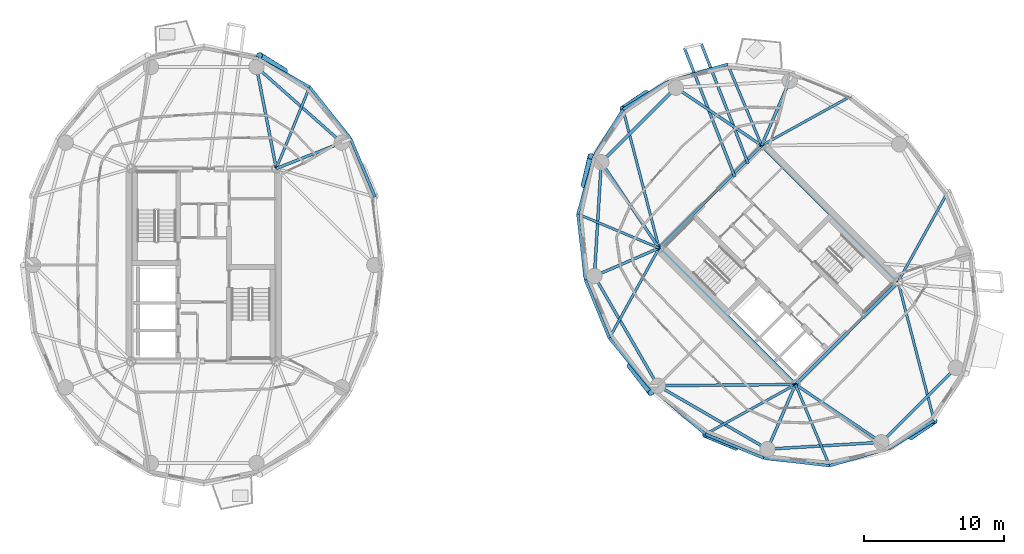
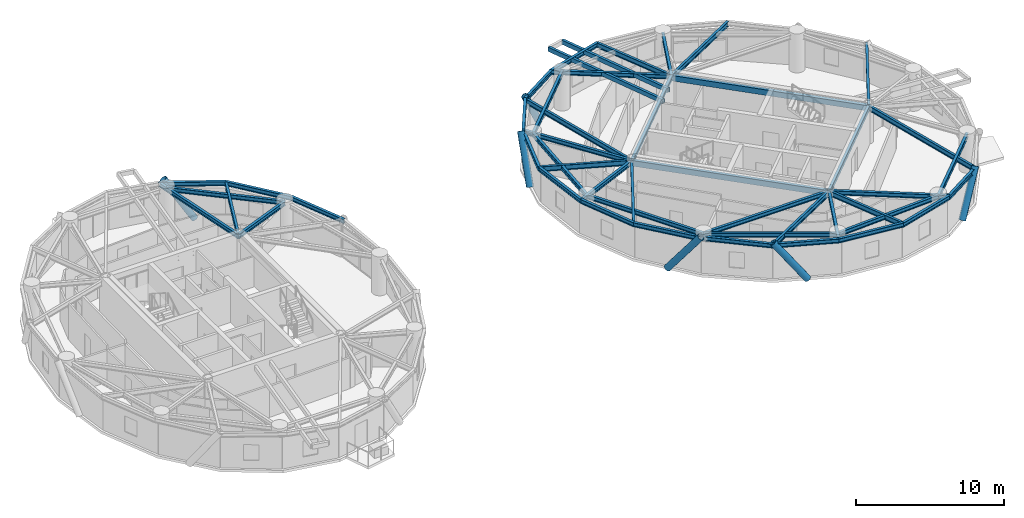
# One storey, part 4 of 17: 47 beams, 6 members.
"""IFC4 building model written with IfcOpenShell, lengths in metres."""

from ifc_helpers import new_model, si_unit, direction, frame, origin, origin_2d, place, context, subcontext, project, spatial, hollow_rectangle, hollow_circle, i_section, extrude, material, material_profile, profile_set, type_object, element, save


model = new_model("IFC4")

# Units and contexts
model_context = context("Model", 3, precision=1e-05, world=origin(), true_north=direction((0.0, 1.0)))
body_context = subcontext(model_context, "Body", "Model", "MODEL_VIEW")
ifc_project = project(units=[si_unit("LENGTHUNIT", "METRE"), si_unit("AREAUNIT", "SQUARE_METRE"), si_unit("VOLUMEUNIT", "CUBIC_METRE"), si_unit("PLANEANGLEUNIT", "RADIAN"), si_unit("MASSUNIT", "GRAM", prefix="KILO")], contexts=[model_context])

# Site, building, storey
site_placement = place(None, origin())
site = spatial("IfcSite", under=ifc_project, at=site_placement, CompositionType="ELEMENT")
building_placement = place(site_placement, origin())
building = spatial("IfcBuilding", under=site, at=building_placement, Name="Cununo Teusaquillo Station Towers", CompositionType="ELEMENT")
storey_placement = place(building_placement, frame((0.0, 0.0, 222.85009765625)))
storey = spatial("IfcBuildingStorey", under=building, at=storey_placement, Name="L71", CompositionType="ELEMENT", Elevation=222.85009765625)

# Beams
ifc_material_1 = material(Name="Steel EN 10025-2 S355J2", Category="steel")
ifc_material_profile_1 = material_profile(ifc_material_1, hollow_rectangle(XDim=0.199951171875, YDim=0.35009765625, WallThickness=0.013916015625, at=origin_2d()), Name="RHS 350x200x14")
ifc_profile_set_1 = profile_set([ifc_material_profile_1], Name="Steel EN 10025-2 S355J2")
beam_type_1 = type_object("IfcBeamType", Name="BM-BAL-CANT", PredefinedType="BEAM", material=ifc_profile_set_1)
beam_1_placement = place(storey_placement, frame((55.329345703125, 31.73388671875, 2.81494140625), z_axis=(-0.364356093101, 0.931259704605, 0.0), x_axis=(-0.931259704605, -0.364356093101, 0.0)))
element("IfcBeam", 1, at=beam_1_placement, inside=storey, type_object=beam_type_1, Name="L71 Tower B Balcony Cantilever Bracket 1A", PredefinedType="BEAM", context=body_context, shape_type="SweptSolid", body=[
    extrude(hollow_rectangle(XDim=0.199951171875, YDim=0.35009765625, WallThickness=0.013916015625, at=origin_2d()), origin(), (0.0, 0.0, 1.0), 9.151123046875),
])
beam_2_placement = place(storey_placement, frame((54.38134765625, 30.785888671875, 2.81494140625), z_axis=(-0.364348965109, 0.931262493406, 0.0), x_axis=(-0.931262493406, -0.364348965109, 0.0)))
element("IfcBeam", 2, at=beam_2_placement, inside=storey, type_object=beam_type_1, Name="L71 Tower B Balcony Cantilever Bracket 1B", PredefinedType="BEAM", context=body_context, shape_type="SweptSolid", body=[
    extrude(hollow_rectangle(XDim=0.199951171875, YDim=0.35009765625, WallThickness=0.013916015625, at=origin_2d()), origin(), (0.0, 0.0, 1.0), 9.8662109375),
])
ifc_material_2 = material(Name="Steel EN 10025-2 S355J2", Category="steel")
ifc_material_profile_2 = material_profile(ifc_material_2, hollow_rectangle(XDim=0.25, YDim=0.449951171875, WallThickness=0.01611328125, at=origin_2d()), Name="RHS 450x250x16")
ifc_profile_set_2 = profile_set([ifc_material_profile_2], Name="Steel EN 10025-2 S355J2")
beam_type_2 = type_object("IfcBeamType", Name="BM-COUP-1", PredefinedType="USERDEFINED", material=ifc_profile_set_2)
for number, where, z_axis, x_axis, name in (
    (3, (58.70556640625, 15.975830078125, 2.764892578125), (-0.707106781187, 0.707106781187, 0.0), (-0.707106781187, -0.707106781187, 0.0), "L71 Tower B Core Beam 1"),
    (4, (66.024169921875, 23.29443359375, 2.764892578125), (-0.707106781187, 0.707106781187, 0.0), (-0.707106781187, -0.707106781187, 0.0), "L71 Tower B Core Beam 2"),
):
    element("IfcBeam", number, at=place(storey_placement, frame(where, z_axis=z_axis, x_axis=x_axis)), inside=storey, type_object=beam_type_2, Name=name, ObjectType="COUPLING BEAM", PredefinedType="USERDEFINED", context=body_context, shape_type="SweptSolid", body=[
        extrude(hollow_rectangle(XDim=0.25, YDim=0.449951171875, WallThickness=0.01611328125, at=origin_2d()), origin(), (0.0, 0.0, 1.0), 13.760009765625),
    ])
ifc_material_3 = material(Name="Steel ASTM A572 Grade 50", Category="steel")
ifc_material_profile_3 = material_profile(ifc_material_3, i_section(OverallWidth=0.180908203125, OverallDepth=0.4169921875, WebThickness=0.010986328125, FlangeThickness=0.018310546875, FilletRadius=0.012939453125, at=origin_2d()), Name="W16X57")
ifc_profile_set_3 = profile_set([ifc_material_profile_3], Name="Steel ASTM A572 Grade 50")
beam_type_3 = type_object("IfcBeamType", Name="BM-JOIST-1", PredefinedType="JOIST", material=ifc_profile_set_3)
beam_3_placement = place(storey_placement, frame((21.675048828125, 31.3798828125, 2.781494140625), z_axis=(0.378576847217, 0.925569862707, 0.0), x_axis=(-0.925569862707, 0.378576847217, 0.0)))
element("IfcBeam", 5, at=beam_3_placement, inside=storey, type_object=beam_type_3, Name="L71 Tower A Radial Spandrel Joist V03", PredefinedType="JOIST", context=body_context, shape_type="SweptSolid", body=[
    extrude(i_section(OverallWidth=0.180908203125, OverallDepth=0.4169921875, WebThickness=0.010986328125, FlangeThickness=0.018310546875, FilletRadius=0.012939453125, at=origin_2d()), origin(), (0.0, 0.0, 1.0), 6.28125),
])
beam_4_placement = place(storey_placement, frame((56.29443359375, 33.024169921875, 2.781494140625), z_axis=(0.8753153358, 0.483552544108, 0.0), x_axis=(-0.483552544108, 0.8753153358, 0.0)))
element("IfcBeam", 6, at=beam_4_placement, inside=storey, type_object=beam_type_3, Name="L71 Tower B Radial Spandrel Joist V01", PredefinedType="JOIST", context=body_context, shape_type="SweptSolid", body=[
    extrude(i_section(OverallWidth=0.180908203125, OverallDepth=0.4169921875, WebThickness=0.010986328125, FlangeThickness=0.018310546875, FilletRadius=0.012939453125, at=origin_2d()), origin(), (0.0, 0.0, 1.0), 7.3330078125),
])
beam_5_placement = place(storey_placement, frame((56.29443359375, 33.024169921875, 2.781494140625), z_axis=(-0.386786389381, 0.922169338565, 0.0), x_axis=(-0.922169338565, -0.386786389381, 0.0)))
element("IfcBeam", 7, at=beam_5_placement, inside=storey, type_object=beam_type_3, Name="L71 Tower B Radial Spandrel Joist V03", PredefinedType="JOIST", context=body_context, shape_type="SweptSolid", body=[
    extrude(i_section(OverallWidth=0.180908203125, OverallDepth=0.4169921875, WebThickness=0.010986328125, FlangeThickness=0.018310546875, FilletRadius=0.012939453125, at=origin_2d()), origin(), (0.0, 0.0, 1.0), 6.281005859375),
])
beam_6_placement = place(storey_placement, frame((48.975830078125, 25.70556640625, 2.781494140625), z_axis=(-0.251559992432, 0.967841707206, 0.0), x_axis=(-0.967841707206, -0.251559992432, 0.0)))
element("IfcBeam", 8, at=beam_6_placement, inside=storey, type_object=beam_type_3, Name="L71 Tower B Radial Spandrel Joist V05", PredefinedType="JOIST", context=body_context, shape_type="SweptSolid", body=[
    extrude(i_section(OverallWidth=0.180908203125, OverallDepth=0.4169921875, WebThickness=0.010986328125, FlangeThickness=0.018310546875, FilletRadius=0.012939453125, at=origin_2d()), origin(), (0.0, 0.0, 1.0), 10.217529296875),
])
beam_7_placement = place(storey_placement, frame((48.975830078125, 25.70556640625, 2.781494140625), z_axis=(-0.922169338565, 0.386786389381, 0.0), x_axis=(-0.386786389381, -0.922169338565, 0.0)))
element("IfcBeam", 9, at=beam_7_placement, inside=storey, type_object=beam_type_3, Name="L71 Tower B Radial Spandrel Joist V07", PredefinedType="JOIST", context=body_context, shape_type="SweptSolid", body=[
    extrude(i_section(OverallWidth=0.180908203125, OverallDepth=0.4169921875, WebThickness=0.010986328125, FlangeThickness=0.018310546875, FilletRadius=0.012939453125, at=origin_2d()), origin(), (0.0, 0.0, 1.0), 6.281005859375),
])
for number, where, z_axis, x_axis, name in (
    (10, (48.975830078125, 25.70556640625, 2.781494140625), (-0.483552544108, -0.8753153358, 0.0), (0.8753153358, -0.483552544108, 0.0), "L71 Tower B Radial Spandrel Joist V09"),
    (11, (58.70556640625, 15.975830078125, 2.781494140625), (-0.8753153358, -0.483552544108, 0.0), (0.483552544108, -0.8753153358, 0.0), "L71 Tower B Radial Spandrel Joist V11"),
):
    element("IfcBeam", number, at=place(storey_placement, frame(where, z_axis=z_axis, x_axis=x_axis)), inside=storey, type_object=beam_type_3, Name=name, PredefinedType="JOIST", context=body_context, shape_type="SweptSolid", body=[
        extrude(i_section(OverallWidth=0.180908203125, OverallDepth=0.4169921875, WebThickness=0.010986328125, FlangeThickness=0.018310546875, FilletRadius=0.012939453125, at=origin_2d()), origin(), (0.0, 0.0, 1.0), 7.3330078125),
    ])
beam_8_placement = place(storey_placement, frame((58.70556640625, 15.975830078125, 2.781494140625), z_axis=(0.386786389381, -0.922169338565, 0.0), x_axis=(0.922169338565, 0.386786389381, 0.0)))
element("IfcBeam", 12, at=beam_8_placement, inside=storey, type_object=beam_type_3, Name="L71 Tower B Radial Spandrel Joist V13", PredefinedType="JOIST", context=body_context, shape_type="SweptSolid", body=[
    extrude(i_section(OverallWidth=0.180908203125, OverallDepth=0.4169921875, WebThickness=0.010986328125, FlangeThickness=0.018310546875, FilletRadius=0.012939453125, at=origin_2d()), origin(), (0.0, 0.0, 1.0), 6.281005859375),
])
beam_9_placement = place(storey_placement, frame((66.024169921875, 23.29443359375, 2.781494140625), z_axis=(0.251559992432, -0.967841707206, 0.0), x_axis=(0.967841707206, 0.251559992432, 0.0)))
element("IfcBeam", 13, at=beam_9_placement, inside=storey, type_object=beam_type_3, Name="L71 Tower B Radial Spandrel Joist V15", PredefinedType="JOIST", context=body_context, shape_type="SweptSolid", body=[
    extrude(i_section(OverallWidth=0.180908203125, OverallDepth=0.4169921875, WebThickness=0.010986328125, FlangeThickness=0.018310546875, FilletRadius=0.012939453125, at=origin_2d()), origin(), (0.0, 0.0, 1.0), 10.217529296875),
])
beam_10_placement = place(storey_placement, frame((66.024169921875, 23.29443359375, 2.781494140625), z_axis=(0.483552544108, 0.8753153358, 0.0), x_axis=(-0.8753153358, 0.483552544108, 0.0)))
element("IfcBeam", 14, at=beam_10_placement, inside=storey, type_object=beam_type_3, Name="L71 Tower B Radial Spandrel Joist V19", PredefinedType="JOIST", context=body_context, shape_type="SweptSolid", body=[
    extrude(i_section(OverallWidth=0.180908203125, OverallDepth=0.4169921875, WebThickness=0.010986328125, FlangeThickness=0.018310546875, FilletRadius=0.012939453125, at=origin_2d()), origin(), (0.0, 0.0, 1.0), 7.3330078125),
])
ifc_material_4 = material(Name="Steel ASTM A572 Grade 50", Category="steel")
ifc_material_profile_4 = material_profile(ifc_material_4, i_section(OverallWidth=0.2041015625, OverallDepth=0.35009765625, WebThickness=0.008544921875, FlangeThickness=0.01513671875, FilletRadius=0.011962890625, at=origin_2d()), Name="W14X48")
ifc_profile_set_4 = profile_set([ifc_material_profile_4], Name="Steel ASTM A572 Grade 50")
beam_type_4 = type_object("IfcBeamType", Name="BM-LINTEL-1", PredefinedType="LINTEL", material=ifc_profile_set_4)
for number, where, z_axis, x_axis, name in (
    (15, (58.70556640625, 15.975830078125, 2.81494140625), (0.707106781187, 0.707106781187, 0.0), (-0.707106781187, 0.707106781187, 0.0), "L71 Tower B Core Beam 3"),
    (16, (48.975830078125, 25.70556640625, 2.81494140625), (0.707106781187, 0.707106781187, 0.0), (-0.707106781187, 0.707106781187, 0.0), "L71 Tower B Core Beam 4"),
):
    element("IfcBeam", number, at=place(storey_placement, frame(where, z_axis=z_axis, x_axis=x_axis)), inside=storey, type_object=beam_type_4, Name=name, PredefinedType="LINTEL", context=body_context, shape_type="SweptSolid", body=[
        extrude(i_section(OverallWidth=0.2041015625, OverallDepth=0.35009765625, WebThickness=0.008544921875, FlangeThickness=0.01513671875, FilletRadius=0.011962890625, at=origin_2d()), origin(), (0.0, 0.0, 1.0), 10.35009765625),
    ])
ifc_material_5 = material(Name="Steel ASTM A572 Grade 50", Category="steel")
ifc_material_profile_5 = material_profile(ifc_material_5, i_section(OverallWidth=0.2041015625, OverallDepth=0.35009765625, WebThickness=0.008544921875, FlangeThickness=0.01513671875, FilletRadius=0.011962890625, at=origin_2d()), Name="W14X48")
ifc_profile_set_5 = profile_set([ifc_material_profile_5], Name="Steel ASTM A572 Grade 50")
beam_type_5 = type_object("IfcBeamType", Name="BM-RAD-G3", PredefinedType="BEAM", material=ifc_profile_set_5)
beam_11_placement = place(storey_placement, frame((21.675048828125, 31.3798828125, 2.81494140625), z_axis=(0.929864104313, 0.367903176814, 0.0), x_axis=(-0.367903176814, 0.929864104313, 0.0)))
element("IfcBeam", 17, at=beam_11_placement, inside=storey, type_object=beam_type_5, Name="L71 Tower A Radial Girder 02A", PredefinedType="BEAM", context=body_context, shape_type="SweptSolid", body=[
    extrude(i_section(OverallWidth=0.2041015625, OverallDepth=0.35009765625, WebThickness=0.008544921875, FlangeThickness=0.01513671875, FilletRadius=0.011962890625, at=origin_2d()), origin(), (0.0, 0.0, 1.0), 5.02490234375),
])
beam_12_placement = place(storey_placement, frame((21.675048828125, 31.3798828125, 2.81494140625), z_axis=(-0.191548487699, 0.981483151593, 0.0), x_axis=(-0.981483151593, -0.191548487699, 0.0)))
element("IfcBeam", 18, at=beam_12_placement, inside=storey, type_object=beam_type_5, Name="L71 Tower A Continuous Overhanging Radial Girder 03", PredefinedType="BEAM", context=body_context, shape_type="SweptSolid", body=[
    extrude(i_section(OverallWidth=0.2041015625, OverallDepth=0.35009765625, WebThickness=0.008544921875, FlangeThickness=0.01513671875, FilletRadius=0.011962890625, at=origin_2d()), origin(), (0.0, 0.0, 1.0), 8.1240234375),
])
beam_13_placement = place(storey_placement, frame((56.29443359375, 33.024169921875, 2.81494140625), z_axis=(0.397346986387, 0.917668443616, 0.0), x_axis=(-0.917668443616, 0.397346986387, 0.0)))
element("IfcBeam", 19, at=beam_13_placement, inside=storey, type_object=beam_type_5, Name="L71 Tower B Radial Girder 02A", PredefinedType="BEAM", context=body_context, shape_type="SweptSolid", body=[
    extrude(i_section(OverallWidth=0.2041015625, OverallDepth=0.35009765625, WebThickness=0.008544921875, FlangeThickness=0.01513671875, FilletRadius=0.011962890625, at=origin_2d()), origin(), (0.0, 0.0, 1.0), 5.02490234375),
])
for number, where, z_axis, x_axis, name in (
    (20, (56.29443359375, 33.024169921875, 2.81494140625), (-0.829456817529, 0.558570844079, 0.0), (-0.558570844079, -0.829456817529, 0.0), "L71 Tower B Continuous Overhanging Radial Girder 03"),
    (21, (48.975830078125, 25.70556640625, 2.81494140625), (-0.558570844079, 0.829456817529, 0.0), (-0.829456817529, -0.558570844079, 0.0), "L71 Tower B Continuous Overhanging Radial Girder 04"),
):
    element("IfcBeam", number, at=place(storey_placement, frame(where, z_axis=z_axis, x_axis=x_axis)), inside=storey, type_object=beam_type_5, Name=name, PredefinedType="BEAM", context=body_context, shape_type="SweptSolid", body=[
        extrude(i_section(OverallWidth=0.2041015625, OverallDepth=0.35009765625, WebThickness=0.008544921875, FlangeThickness=0.01513671875, FilletRadius=0.011962890625, at=origin_2d()), origin(), (0.0, 0.0, 1.0), 8.1240234375),
    ])
beam_14_placement = place(storey_placement, frame((48.975830078125, 25.70556640625, 2.81494140625), z_axis=(-0.917665176837, -0.397354530893, 0.0), x_axis=(0.397354530893, -0.917665176837, 0.0)))
element("IfcBeam", 22, at=beam_14_placement, inside=storey, type_object=beam_type_5, Name="L71 Tower B Continuous Overhanging Radial Girder 05", PredefinedType="BEAM", context=body_context, shape_type="SweptSolid", body=[
    extrude(i_section(OverallWidth=0.2041015625, OverallDepth=0.35009765625, WebThickness=0.008544921875, FlangeThickness=0.01513671875, FilletRadius=0.011962890625, at=origin_2d()), origin(), (0.0, 0.0, 1.0), 5.716552734375),
])
beam_15_placement = place(storey_placement, frame((58.70556640625, 15.975830078125, 2.81494140625), z_axis=(-0.999964431382, -0.008434214327, 0.0), x_axis=(0.008434214327, -0.999964431382, 0.0)))
element("IfcBeam", 23, at=beam_15_placement, inside=storey, type_object=beam_type_5, Name="L71 Tower B Radial Girder 06A", PredefinedType="BEAM", context=body_context, shape_type="SweptSolid", body=[
    extrude(i_section(OverallWidth=0.2041015625, OverallDepth=0.35009765625, WebThickness=0.008544921875, FlangeThickness=0.01513671875, FilletRadius=0.011962890625, at=origin_2d()), origin(), (0.0, 0.0, 1.0), 9.812744140625),
])
beam_16_placement = place(storey_placement, frame((58.70556640625, 15.975830078125, 2.81494140625), z_axis=(-0.397354530893, -0.917665176837, 0.0), x_axis=(0.917665176837, -0.397354530893, 0.0)))
element("IfcBeam", 24, at=beam_16_placement, inside=storey, type_object=beam_type_5, Name="L71 Tower B Continuous Overhanging Radial Girder 07", PredefinedType="BEAM", context=body_context, shape_type="SweptSolid", body=[
    extrude(i_section(OverallWidth=0.2041015625, OverallDepth=0.35009765625, WebThickness=0.008544921875, FlangeThickness=0.01513671875, FilletRadius=0.011962890625, at=origin_2d()), origin(), (0.0, 0.0, 1.0), 5.716552734375),
])
beam_17_placement = place(storey_placement, frame((58.70556640625, 15.975830078125, 2.81494140625), z_axis=(0.829456817529, -0.558570844079, 0.0), x_axis=(0.558570844079, 0.829456817529, 0.0)))
element("IfcBeam", 25, at=beam_17_placement, inside=storey, type_object=beam_type_5, Name="L71 Tower B Continuous Overhanging Radial Girder 08", PredefinedType="BEAM", context=body_context, shape_type="SweptSolid", body=[
    extrude(i_section(OverallWidth=0.2041015625, OverallDepth=0.35009765625, WebThickness=0.008544921875, FlangeThickness=0.01513671875, FilletRadius=0.011962890625, at=origin_2d()), origin(), (0.0, 0.0, 1.0), 8.1240234375),
])
ifc_material_6 = material(Name="Steel ASTM A572 Grade 50", Category="steel")
ifc_material_profile_6 = material_profile(ifc_material_6, i_section(OverallWidth=0.2041015625, OverallDepth=0.35009765625, WebThickness=0.008544921875, FlangeThickness=0.01513671875, FilletRadius=0.011962890625, at=origin_2d()), Name="W14X48")
ifc_profile_set_6 = profile_set([ifc_material_profile_6], Name="Steel ASTM A572 Grade 50")
beam_type_6 = type_object("IfcBeamType", Name="BM-RING-Z4", PredefinedType="SPANDREL", material=ifc_profile_set_6)
beam_18_placement = place(storey_placement, frame((26.347412109375, 33.228515625, 2.81494140625), z_axis=(-0.74832120039, 0.66333655187, 0.0), x_axis=(-0.66333655187, -0.74832120039, 0.0)))
element("IfcBeam", 26, at=beam_18_placement, inside=storey, type_object=beam_type_6, Name="L71 Tower A Structural Column Ring Girder 02", PredefinedType="SPANDREL", context=body_context, shape_type="SweptSolid", body=[
    extrude(i_section(OverallWidth=0.2041015625, OverallDepth=0.35009765625, WebThickness=0.008544921875, FlangeThickness=0.01513671875, FilletRadius=0.011962890625, at=origin_2d()), origin(), (0.0, 0.0, 1.0), 8.1328125),
])
beam_19_placement = place(storey_placement, frame((28.72119140625, 29.348388671875, 2.81494140625), z_axis=(-0.386115454066, 0.922450462698, 0.0), x_axis=(-0.922450462698, -0.386115454066, 0.0)))
element("IfcBeam", 27, at=beam_19_placement, inside=storey, type_object=beam_type_6, Name="L71 Tower A Spandrel Ring Beam 02", PredefinedType="SPANDREL", context=body_context, shape_type="SweptSolid", body=[
    extrude(i_section(OverallWidth=0.2041015625, OverallDepth=0.35009765625, WebThickness=0.008544921875, FlangeThickness=0.01513671875, FilletRadius=0.011962890625, at=origin_2d()), origin(), (0.0, 0.0, 1.0), 4.482421875),
])
beam_20_placement = place(storey_placement, frame((26.990478515625, 33.483154296875, 2.81494140625), z_axis=(-0.620710872531, 0.784039547932, 0.0), x_axis=(-0.784039547932, -0.620710872531, 0.0)))
element("IfcBeam", 28, at=beam_20_placement, inside=storey, type_object=beam_type_6, Name="L71 Tower A Spandrel Ring Beam 03", PredefinedType="SPANDREL", context=body_context, shape_type="SweptSolid", body=[
    extrude(i_section(OverallWidth=0.2041015625, OverallDepth=0.35009765625, WebThickness=0.008544921875, FlangeThickness=0.01513671875, FilletRadius=0.011962890625, at=origin_2d()), origin(), (0.0, 0.0, 1.0), 4.732421875),
])
beam_21_placement = place(storey_placement, frame((24.052978515625, 37.193603515625, 2.81494140625), z_axis=(-0.876576300909, 0.481262910149, 0.0), x_axis=(-0.481262910149, -0.876576300909, 0.0)))
element("IfcBeam", 29, at=beam_21_placement, inside=storey, type_object=beam_type_6, Name="L71 Tower A Spandrel Ring Beam 04", PredefinedType="SPANDREL", context=body_context, shape_type="SweptSolid", body=[
    extrude(i_section(OverallWidth=0.2041015625, OverallDepth=0.35009765625, WebThickness=0.008544921875, FlangeThickness=0.01513671875, FilletRadius=0.011962890625, at=origin_2d()), origin(), (0.0, 0.0, 1.0), 4.488037109375),
])
beam_22_placement = place(storey_placement, frame((50.173095703125, 37.146240234375, 2.81494140625), z_axis=(-0.707106781187, -0.707106781187, 0.0), x_axis=(0.707106781187, -0.707106781187, 0.0)))
element("IfcBeam", 30, at=beam_22_placement, inside=storey, type_object=beam_type_6, Name="L71 Tower B Structural Column Ring Girder 03", PredefinedType="SPANDREL", context=body_context, shape_type="SweptSolid", body=[
    extrude(i_section(OverallWidth=0.2041015625, OverallDepth=0.35009765625, WebThickness=0.008544921875, FlangeThickness=0.01513671875, FilletRadius=0.011962890625, at=origin_2d()), origin(), (0.0, 0.0, 1.0), 7.522705078125),
])
beam_23_placement = place(storey_placement, frame((44.853759765625, 31.826904296875, 2.81494140625), z_axis=(-0.06012979176, -0.998190567048, 0.0), x_axis=(0.998190567048, -0.06012979176, 0.0)))
element("IfcBeam", 31, at=beam_23_placement, inside=storey, type_object=beam_type_6, Name="L71 Tower B Structural Column Ring Girder 04", PredefinedType="SPANDREL", context=body_context, shape_type="SweptSolid", body=[
    extrude(i_section(OverallWidth=0.2041015625, OverallDepth=0.35009765625, WebThickness=0.008544921875, FlangeThickness=0.01513671875, FilletRadius=0.011962890625, at=origin_2d()), origin(), (0.0, 0.0, 1.0), 8.132568359375),
])
for number, where, z_axis, x_axis, name in (
    (32, (44.36474609375, 23.708984375, 2.81494140625), (0.501311121078, -0.865267103202, 0.0), (0.865267103202, 0.501311121078, 0.0), "L71 Tower B Structural Column Ring Girder 05"),
    (33, (48.89306640625, 15.89306640625, 2.81494140625), (0.865267103202, -0.501311121078, 0.0), (0.501311121078, 0.865267103202, 0.0), "L71 Tower B Structural Column Ring Girder 06"),
):
    element("IfcBeam", number, at=place(storey_placement, frame(where, z_axis=z_axis, x_axis=x_axis)), inside=storey, type_object=beam_type_6, Name=name, PredefinedType="SPANDREL", context=body_context, shape_type="SweptSolid", body=[
        extrude(i_section(OverallWidth=0.2041015625, OverallDepth=0.35009765625, WebThickness=0.008544921875, FlangeThickness=0.01513671875, FilletRadius=0.011962890625, at=origin_2d()), origin(), (0.0, 0.0, 1.0), 9.032958984375),
    ])
beam_24_placement = place(storey_placement, frame((56.708984375, 11.36474609375, 2.81494140625), z_axis=(0.998190567048, 0.06012979176, 0.0), x_axis=(-0.06012979176, 0.998190567048, 0.0)))
element("IfcBeam", 34, at=beam_24_placement, inside=storey, type_object=beam_type_6, Name="L71 Tower B Structural Column Ring Girder 07", PredefinedType="SPANDREL", context=body_context, shape_type="SweptSolid", body=[
    extrude(i_section(OverallWidth=0.2041015625, OverallDepth=0.35009765625, WebThickness=0.008544921875, FlangeThickness=0.01513671875, FilletRadius=0.011962890625, at=origin_2d()), origin(), (0.0, 0.0, 1.0), 8.132568359375),
])
beam_25_placement = place(storey_placement, frame((64.826904296875, 11.853759765625, 2.81494140625), z_axis=(0.707106781187, 0.707106781187, 0.0), x_axis=(-0.707106781187, 0.707106781187, 0.0)))
element("IfcBeam", 35, at=beam_25_placement, inside=storey, type_object=beam_type_6, Name="L71 Tower B Structural Column Ring Girder 08", PredefinedType="SPANDREL", context=body_context, shape_type="SweptSolid", body=[
    extrude(i_section(OverallWidth=0.2041015625, OverallDepth=0.35009765625, WebThickness=0.008544921875, FlangeThickness=0.01513671875, FilletRadius=0.011962890625, at=origin_2d()), origin(), (0.0, 0.0, 1.0), 7.522705078125),
])
beam_26_placement = place(storey_placement, frame((53.864990234375, 38.81640625, 2.81494140625), z_axis=(-0.96014487762, -0.279502797802, 0.0), x_axis=(0.279502797802, -0.96014487762, 0.0)))
element("IfcBeam", 36, at=beam_26_placement, inside=storey, type_object=beam_type_6, Name="L71 Tower B Spandrel Ring Beam 04", PredefinedType="SPANDREL", context=body_context, shape_type="SweptSolid", body=[
    extrude(i_section(OverallWidth=0.2041015625, OverallDepth=0.35009765625, WebThickness=0.008544921875, FlangeThickness=0.01513671875, FilletRadius=0.011962890625, at=origin_2d()), origin(), (0.0, 0.0, 1.0), 4.488037109375),
])
for number, where, z_axis, x_axis, name in (
    (37, (49.555908203125, 37.56201171875, 2.81494140625), (-0.848175505099, -0.529715312739, 0.0), (0.529715312739, -0.848175505099, 0.0), "L71 Tower B Spandrel Ring Beam 05"),
    (38, (46.405517578125, 35.594482421875, 2.81494140625), (-0.529715312739, -0.848175505099, 0.0), (0.848175505099, -0.529715312739, 0.0), "L71 Tower B Spandrel Ring Beam 06"),
):
    element("IfcBeam", number, at=place(storey_placement, frame(where, z_axis=z_axis, x_axis=x_axis)), inside=storey, type_object=beam_type_6, Name=name, PredefinedType="SPANDREL", context=body_context, shape_type="SweptSolid", body=[
        extrude(i_section(OverallWidth=0.2041015625, OverallDepth=0.35009765625, WebThickness=0.008544921875, FlangeThickness=0.01513671875, FilletRadius=0.011962890625, at=origin_2d()), origin(), (0.0, 0.0, 1.0), 3.71435546875),
    ])
beam_27_placement = place(storey_placement, frame((44.43798828125, 32.444091796875, 2.81494140625), z_axis=(-0.279502797802, -0.96014487762, 0.0), x_axis=(0.96014487762, -0.279502797802, 0.0)))
element("IfcBeam", 39, at=beam_27_placement, inside=storey, type_object=beam_type_6, Name="L71 Tower B Spandrel Ring Beam 07", PredefinedType="SPANDREL", context=body_context, shape_type="SweptSolid", body=[
    extrude(i_section(OverallWidth=0.2041015625, OverallDepth=0.35009765625, WebThickness=0.008544921875, FlangeThickness=0.01513671875, FilletRadius=0.011962890625, at=origin_2d()), origin(), (0.0, 0.0, 1.0), 4.488037109375),
])
beam_28_placement = place(storey_placement, frame((43.18359375, 28.135009765625, 2.81494140625), z_axis=(0.115452326356, -0.993313022334, 0.0), x_axis=(0.993313022334, 0.115452326356, 0.0)))
element("IfcBeam", 40, at=beam_28_placement, inside=storey, type_object=beam_type_6, Name="L71 Tower B Spandrel Ring Beam 08", PredefinedType="SPANDREL", context=body_context, shape_type="SweptSolid", body=[
    extrude(i_section(OverallWidth=0.2041015625, OverallDepth=0.35009765625, WebThickness=0.008544921875, FlangeThickness=0.01513671875, FilletRadius=0.011962890625, at=origin_2d()), origin(), (0.0, 0.0, 1.0), 4.732666015625),
])
beam_29_placement = place(storey_placement, frame((43.72998046875, 23.43408203125, 2.81494140625), z_axis=(0.379275405388, -0.925283830437, 0.0), x_axis=(0.925283830437, 0.379275405388, 0.0)))
element("IfcBeam", 41, at=beam_29_placement, inside=storey, type_object=beam_type_6, Name="L71 Tower B Spandrel Ring Beam 09", PredefinedType="SPANDREL", context=body_context, shape_type="SweptSolid", body=[
    extrude(i_section(OverallWidth=0.2041015625, OverallDepth=0.35009765625, WebThickness=0.008544921875, FlangeThickness=0.01513671875, FilletRadius=0.011962890625, at=origin_2d()), origin(), (0.0, 0.0, 1.0), 4.482177734375),
])
beam_30_placement = place(storey_placement, frame((45.429931640625, 19.286865234375, 2.81494140625), z_axis=(0.637524682095, -0.770429931739, 0.0), x_axis=(0.770429931739, 0.637524682095, 0.0)))
element("IfcBeam", 42, at=beam_30_placement, inside=storey, type_object=beam_type_6, Name="L71 Tower B Spandrel Ring Beam 10", PredefinedType="SPANDREL", context=body_context, shape_type="SweptSolid", body=[
    extrude(i_section(OverallWidth=0.2041015625, OverallDepth=0.35009765625, WebThickness=0.008544921875, FlangeThickness=0.01513671875, FilletRadius=0.011962890625, at=origin_2d()), origin(), (0.0, 0.0, 1.0), 4.412353515625),
])
beam_31_placement = place(storey_placement, frame((48.242919921875, 15.887451171875, 2.81494140625), z_axis=(0.760065778291, -0.649846145385, 0.0), x_axis=(0.649846145385, 0.760065778291, 0.0)))
element("IfcBeam", 43, at=beam_31_placement, inside=storey, type_object=beam_type_6, Name="L71 Tower B Spandrel Ring Beam 11", PredefinedType="SPANDREL", context=body_context, shape_type="SweptSolid", body=[
    extrude(i_section(OverallWidth=0.2041015625, OverallDepth=0.35009765625, WebThickness=0.008544921875, FlangeThickness=0.01513671875, FilletRadius=0.011962890625, at=origin_2d()), origin(), (0.0, 0.0, 1.0), 5.320556640625),
])
beam_32_placement = place(storey_placement, frame((52.286865234375, 12.429931640625, 2.81494140625), z_axis=(0.925283830437, -0.379275405388, 0.0), x_axis=(0.379275405388, 0.925283830437, 0.0)))
element("IfcBeam", 44, at=beam_32_placement, inside=storey, type_object=beam_type_6, Name="L71 Tower B Spandrel Ring Beam 12", PredefinedType="SPANDREL", context=body_context, shape_type="SweptSolid", body=[
    extrude(i_section(OverallWidth=0.2041015625, OverallDepth=0.35009765625, WebThickness=0.008544921875, FlangeThickness=0.01513671875, FilletRadius=0.011962890625, at=origin_2d()), origin(), (0.0, 0.0, 1.0), 4.482177734375),
])
beam_33_placement = place(storey_placement, frame((56.43408203125, 10.72998046875, 2.81494140625), z_axis=(0.993313022334, -0.115452326356, 0.0), x_axis=(0.115452326356, 0.993313022334, 0.0)))
element("IfcBeam", 45, at=beam_33_placement, inside=storey, type_object=beam_type_6, Name="L71 Tower B Spandrel Ring Beam 13", PredefinedType="SPANDREL", context=body_context, shape_type="SweptSolid", body=[
    extrude(i_section(OverallWidth=0.2041015625, OverallDepth=0.35009765625, WebThickness=0.008544921875, FlangeThickness=0.01513671875, FilletRadius=0.011962890625, at=origin_2d()), origin(), (0.0, 0.0, 1.0), 4.732666015625),
])
beam_34_placement = place(storey_placement, frame((61.135009765625, 10.18359375, 2.81494140625), z_axis=(0.96014487762, 0.279502797802, 0.0), x_axis=(-0.279502797802, 0.96014487762, 0.0)))
element("IfcBeam", 46, at=beam_34_placement, inside=storey, type_object=beam_type_6, Name="L71 Tower B Spandrel Ring Beam 14", PredefinedType="SPANDREL", context=body_context, shape_type="SweptSolid", body=[
    extrude(i_section(OverallWidth=0.2041015625, OverallDepth=0.35009765625, WebThickness=0.008544921875, FlangeThickness=0.01513671875, FilletRadius=0.011962890625, at=origin_2d()), origin(), (0.0, 0.0, 1.0), 4.488037109375),
])
beam_35_placement = place(storey_placement, frame((65.444091796875, 11.43798828125, 2.81494140625), z_axis=(0.848175505099, 0.529715312739, 0.0), x_axis=(-0.529715312739, 0.848175505099, 0.0)))
element("IfcBeam", 47, at=beam_35_placement, inside=storey, type_object=beam_type_6, Name="L71 Tower B Spandrel Ring Beam 15", PredefinedType="SPANDREL", context=body_context, shape_type="SweptSolid", body=[
    extrude(i_section(OverallWidth=0.2041015625, OverallDepth=0.35009765625, WebThickness=0.008544921875, FlangeThickness=0.01513671875, FilletRadius=0.011962890625, at=origin_2d()), origin(), (0.0, 0.0, 1.0), 3.71435546875),
])

# Members
ifc_material_7 = material(Name="Steel EN 10025-2 S355J2", Category="steel")
ifc_material_profile_7 = material_profile(ifc_material_7, hollow_circle(Radius=0.25390625, WallThickness=0.01806640625, at=origin_2d()), Name="CHS 508x18")
ifc_profile_set_7 = profile_set([ifc_material_profile_7], Name="Steel EN 10025-2 S355J2")
member_type = type_object("IfcMemberType", Name="MBR-DIAG-Z4", PredefinedType="BRACE", material=ifc_profile_set_7)
member_1_placement = place(storey_placement, frame((22.261962890625, 38.307861328125, -0.14013671875), z_axis=(-0.46730812708, 0.29072986532, 0.834924703058), x_axis=(-0.528249968439, -0.849088906325, 0.0)))
element("IfcMember", 48, at=member_1_placement, inside=storey, type_object=member_type, Name="L71 Tower A Folded-Zigzag Diagrid Tube C03", PredefinedType="BRACE", context=body_context, shape_type="SweptSolid", body=[
    extrude(hollow_circle(Radius=0.25390625, WallThickness=0.01806640625, at=origin_2d()), origin(), (0.0, 0.0, 1.0), 3.83251953125),
])
member_2_placement = place(storey_placement, frame((48.080810546875, 36.72705078125, -0.14013671875), z_axis=(-0.442570790011, -0.299196428863, 0.845347616537), x_axis=(0.560065734295, -0.828448171746, 0.0)))
element("IfcMember", 49, at=member_2_placement, inside=storey, type_object=member_type, Name="L71 Tower B Folded-Zigzag Diagrid Tube C04", PredefinedType="BRACE", context=body_context, shape_type="SweptSolid", body=[
    extrude(hollow_circle(Radius=0.25390625, WallThickness=0.01806640625, at=origin_2d()), origin(), (0.0, 0.0, 1.0), 3.785400390625),
])
member_3_placement = place(storey_placement, frame((43.662109375, 30.189208984375, -0.14013671875), z_axis=(0.124851585541, 0.536033720575, 0.834913128412), x_axis=(-0.973930772574, 0.226845432471, 0.0)))
element("IfcMember", 50, at=member_3_placement, inside=storey, type_object=member_type, Name="L71 Tower B Folded-Zigzag Diagrid Tube C06", PredefinedType="BRACE", context=body_context, shape_type="SweptSolid", body=[
    extrude(hollow_circle(Radius=0.25390625, WallThickness=0.01806640625, at=origin_2d()), origin(), (0.0, 0.0, 1.0), 3.832763671875),
])
member_4_placement = place(storey_placement, frame((46.921875, 17.35009765625, -0.14013671875), z_axis=(0.370507559382, -0.480853453356, 0.79467232545), x_axis=(0.792129910102, 0.610352525613, 0.0)))
element("IfcMember", 51, at=member_4_placement, inside=storey, type_object=member_type, Name="L71 Tower B Folded-Zigzag Diagrid Tube C09", PredefinedType="BRACE", context=body_context, shape_type="SweptSolid", body=[
    extrude(hollow_circle(Radius=0.25390625, WallThickness=0.01806640625, at=origin_2d()), origin(), (0.0, 0.0, 1.0), 4.02685546875),
])
member_5_placement = place(storey_placement, frame((54.478515625, 11.52880859375, -0.14013671875), z_axis=(-0.550411606357, 0.22630825878, 0.803636507132), x_axis=(-0.380273025704, -0.924874275738, 0.0)))
element("IfcMember", 52, at=member_5_placement, inside=storey, type_object=member_type, Name="L71 Tower B Folded-Zigzag Diagrid Tube C11", PredefinedType="BRACE", context=body_context, shape_type="SweptSolid", body=[
    extrude(hollow_circle(Radius=0.25390625, WallThickness=0.01806640625, at=origin_2d()), origin(), (0.0, 0.0, 1.0), 3.98193359375),
])
member_6_placement = place(storey_placement, frame((66.919189453125, 12.27294921875, -0.14013671875), z_axis=(0.442570790011, 0.299196428863, 0.845347616537), x_axis=(-0.560065734295, 0.828448171746, 0.0)))
element("IfcMember", 53, at=member_6_placement, inside=storey, type_object=member_type, Name="L71 Tower B Folded-Zigzag Diagrid Tube C14", PredefinedType="BRACE", context=body_context, shape_type="SweptSolid", body=[
    extrude(hollow_circle(Radius=0.25390625, WallThickness=0.01806640625, at=origin_2d()), origin(), (0.0, 0.0, 1.0), 3.785400390625),
])

save(model, "model.ifc")
